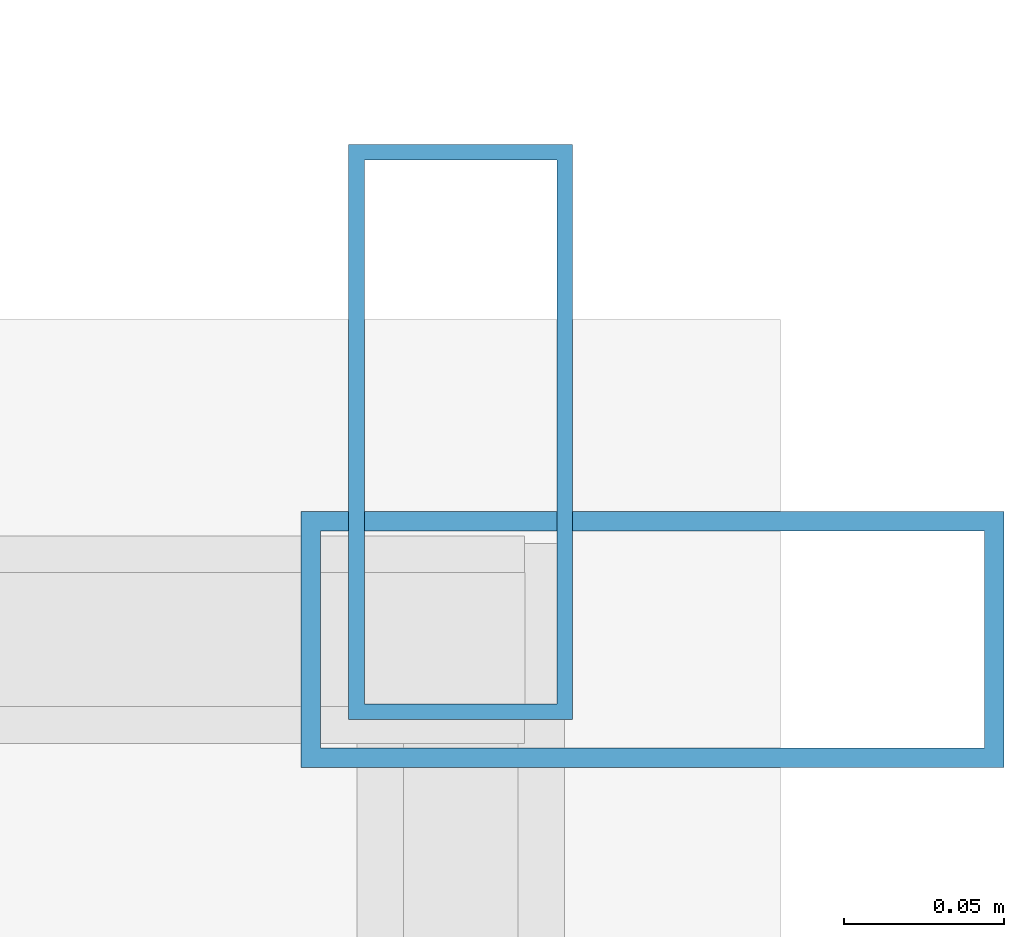
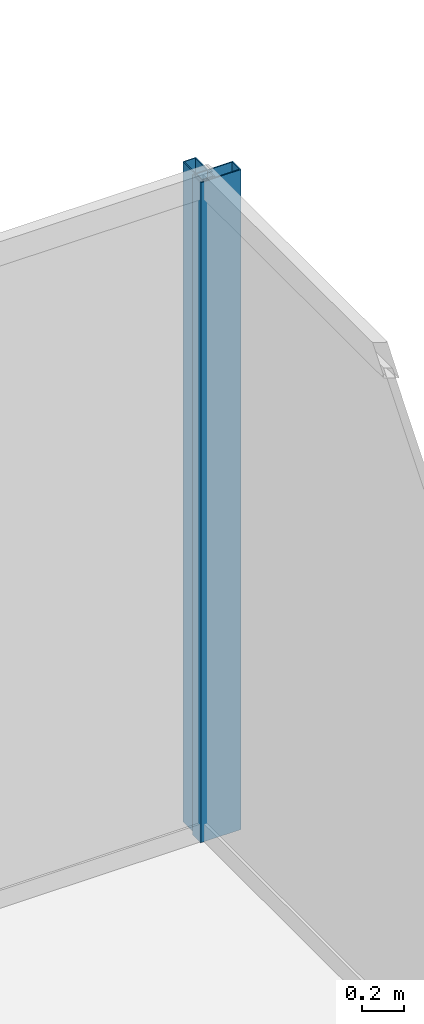
# One storey, part 26 of 33: 2 members, 2 elements without a shape of their own.
"""IFC4 building model written with IfcOpenShell, lengths in metres."""

from ifc_helpers import new_model, si_unit, direction, frame, origin, origin_2d, place, context, subcontext, project, spatial, hollow_rectangle, extrude, source, transform, mapped, material, layer, layer_set, material_profile, profile_set, type_object, type_shapes, element, aggregate, save


model = new_model("IFC4")

# Units and contexts
model_context = context("Model", 3, precision=1e-05, world=origin(), true_north=direction((0.0, 1.0)))
body_context = subcontext(model_context, "Body", "Model", "MODEL_VIEW")
ifc_project = project(units=[si_unit("LENGTHUNIT", "METRE"), si_unit("AREAUNIT", "SQUARE_METRE"), si_unit("VOLUMEUNIT", "CUBIC_METRE"), si_unit("PLANEANGLEUNIT", "RADIAN"), si_unit("MASSUNIT", "GRAM", prefix="KILO")], contexts=[model_context])

# Site, building, storey
site_placement = place(None, origin())
site = spatial("IfcSite", under=ifc_project, at=site_placement, CompositionType="ELEMENT")
building_placement = place(site_placement, origin())
building = spatial("IfcBuilding", under=site, at=building_placement, Name="Haelvirn Gate Laboratories", CompositionType="ELEMENT")
storey_placement = place(building_placement, frame((0.0, 0.0, 217.800048828125)))
storey = spatial("IfcBuildingStorey", under=building, at=storey_placement, Name="L52", CompositionType="ELEMENT", Elevation=217.800048828125)

# Curtain wall, member
ifc_material_1 = material(Name="Anodised bronze unitised aluminium & triple low-E glass", Category="aluminium")
ifc_layer_1 = layer(ifc_material_1, 0.176025390625, Name="CW-SYS-4")
ifc_layer_set_1 = layer_set([ifc_layer_1], Name="Anodised bronze unitised aluminium & triple low-E glass")
curtain_wall_type_1 = type_object("IfcCurtainWallType", Name="CW-SYS-4", PredefinedType="NOTDEFINED", material=ifc_layer_set_1)
curtain_wall_1_placement = place(storey_placement, origin())
curtain_wall_1 = element("IfcCurtainWall", 1, at=curtain_wall_1_placement, inside=storey, type_object=curtain_wall_type_1, Name="L52 Unitised Curtain Wall CW-L52-P0-E07", PredefinedType="NOTDEFINED")
ifc_material_2 = material(Name="Extruded aluminium 6063-T6 (anodised bronze)", Category="aluminium")
ifc_material_profile_1 = material_profile(ifc_material_2, hollow_rectangle(XDim=0.070068359375, YDim=0.179931640625, WallThickness=0.0048828125, at=origin_2d()), Name="CWM-180x70x5")
ifc_profile_set_1 = profile_set([ifc_material_profile_1], Name="Extruded aluminium 6063-T6 (anodised bronze)")
member_type_1 = type_object("IfcMemberType", Name="CWM-T180", PredefinedType="MULLION", material=ifc_profile_set_1)
shared_shape_1 = source(origin(), body_context, "Body", "SweptSolid", [
    extrude(hollow_rectangle(XDim=0.070068359375, YDim=0.179931640625, WallThickness=0.0048828125, at=origin_2d()), origin(), (0.0, 0.0, 1.0), 3.800048828125),
])
type_shapes(member_type_1, [shared_shape_1])
member_1_placement = place(storey_placement, frame((70.699951171875, 42.764892578125, 0.0), z_axis=(0.0, 0.0, 1.0), x_axis=(-1.0, 0.0, 0.0)))
member_1 = element("IfcMember", 2, at=member_1_placement, type_object=member_type_1, Name="CW4 mullion 3", PredefinedType="MULLION", context=body_context, shape_type="MappedRepresentation", body=[
    mapped(shared_shape_1, transform((0.0, 0.0, 0.0), scale=1.0)),
])
aggregate(curtain_wall_1, [member_1])

ifc_layer_2 = layer(ifc_material_1, 0.181884765625, Name="CW-SYS-5")
ifc_layer_set_2 = layer_set([ifc_layer_2], Name="Anodised bronze unitised aluminium & triple low-E glass")
curtain_wall_type_2 = type_object("IfcCurtainWallType", Name="CW-SYS-5", PredefinedType="NOTDEFINED", material=ifc_layer_set_2)
curtain_wall_2_placement = place(storey_placement, origin())
curtain_wall_2 = element("IfcCurtainWall", 3, at=curtain_wall_2_placement, inside=storey, type_object=curtain_wall_type_2, Name="L52 Unitised Curtain Wall CW-L52-P0-E08-1", PredefinedType="NOTDEFINED")
ifc_material_profile_2 = material_profile(ifc_material_2, hollow_rectangle(XDim=0.080078125, YDim=0.219970703125, WallThickness=0.006103515625, at=origin_2d()), Name="CWM-220x80x6")
ifc_profile_set_2 = profile_set([ifc_material_profile_2], Name="Extruded aluminium 6063-T6 (anodised bronze)")
member_type_2 = type_object("IfcMemberType", Name="CWM-T220", PredefinedType="MULLION", material=ifc_profile_set_2)
shared_shape_2 = source(origin(), body_context, "Body", "SweptSolid", [
    extrude(hollow_rectangle(XDim=0.080078125, YDim=0.219970703125, WallThickness=0.006103515625, at=origin_2d()), origin(), (0.0, 0.0, 1.0), 3.800048828125),
])
type_shapes(member_type_2, [shared_shape_2])
member_2_placement = place(storey_placement, frame((70.760009765625, 42.699951171875, 0.0), z_axis=(0.0, 0.0, 1.0), x_axis=(0.0, 1.0, 0.0)))
member_2 = element("IfcMember", 4, at=member_2_placement, type_object=member_type_2, Name="CW5 mullion 2", PredefinedType="MULLION", context=body_context, shape_type="MappedRepresentation", body=[
    mapped(shared_shape_2, transform((0.0, 0.0, 0.0), scale=1.0)),
])
aggregate(curtain_wall_2, [member_2])

save(model, "model.ifc")
